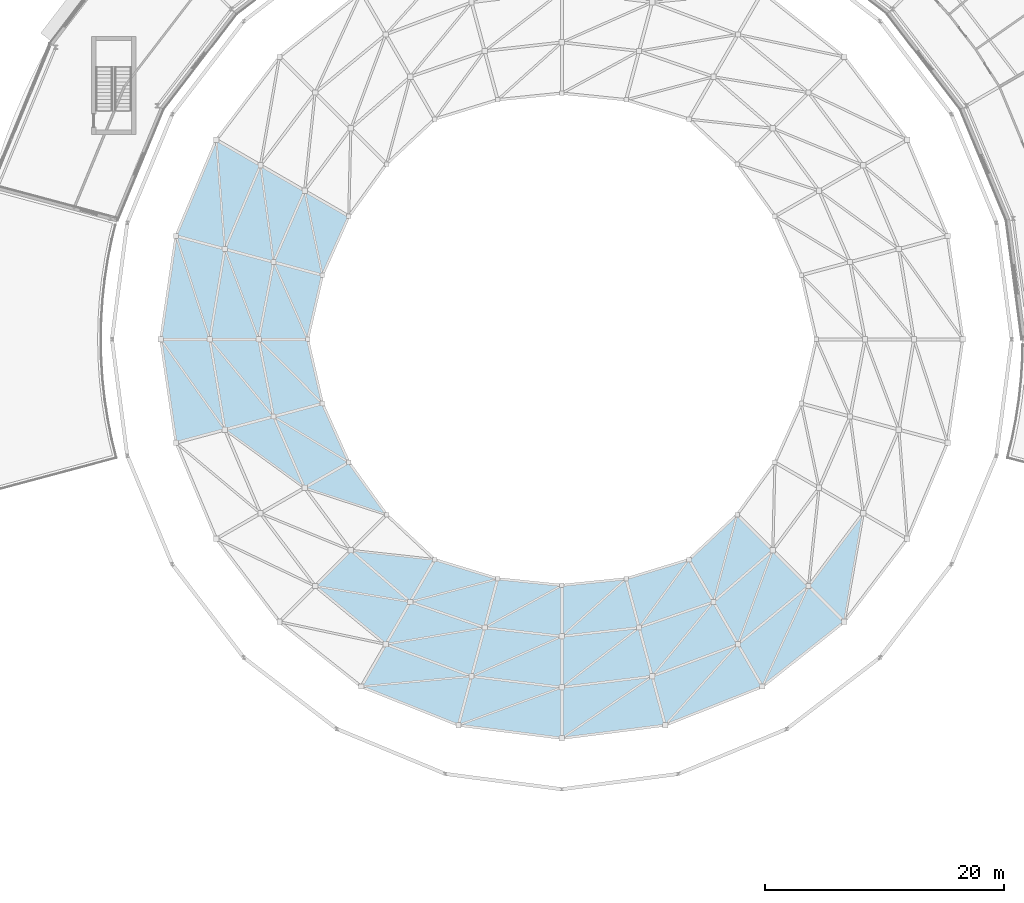
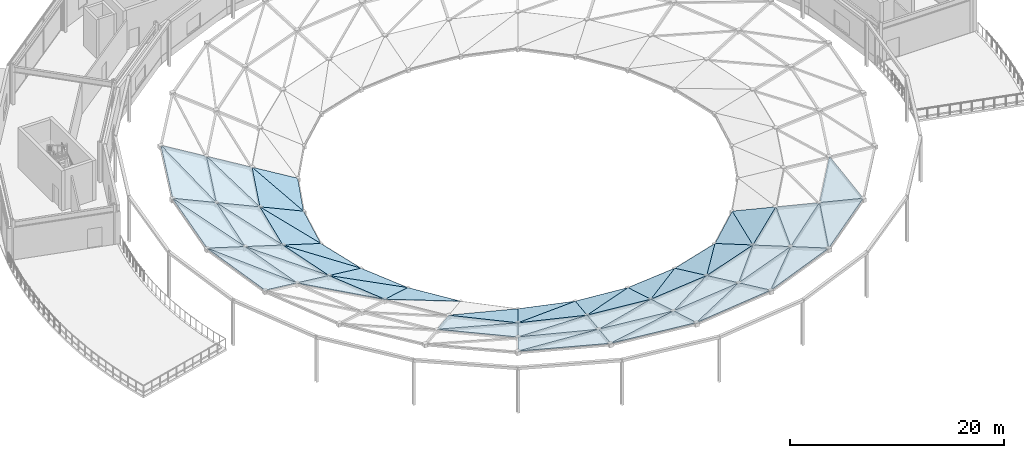
# One storey, part 70 of 89: 56 roofs.
"""IFC4 building model written with IfcOpenShell, lengths in metres."""

from ifc_helpers import new_model, si_unit, direction, frame, origin, place, context, subcontext, project, spatial, polyline, outline, extrude, material, layer, layer_set, type_object, element, save


model = new_model("IFC4")

# Units and contexts
model_context = context("Model", 3, precision=1e-05, world=origin(), true_north=direction((0.0, 1.0)))
body_context = subcontext(model_context, "Body", "Model", "MODEL_VIEW")
ifc_project = project(units=[si_unit("LENGTHUNIT", "METRE"), si_unit("AREAUNIT", "SQUARE_METRE"), si_unit("VOLUMEUNIT", "CUBIC_METRE"), si_unit("PLANEANGLEUNIT", "RADIAN"), si_unit("MASSUNIT", "GRAM", prefix="KILO")], contexts=[model_context])

# Site, building, storey
site_placement = place(None, origin())
site = spatial("IfcSite", under=ifc_project, at=site_placement, CompositionType="ELEMENT")
building_placement = place(site_placement, origin())
building = spatial("IfcBuilding", under=site, at=building_placement, Name="Almandine Court Research Institute", CompositionType="ELEMENT")
storey_placement = place(building_placement, frame((0.0, 0.0, 18.89990234375)))
storey = spatial("IfcBuildingStorey", under=building, at=storey_placement, Name="L04", CompositionType="ELEMENT", Elevation=18.89990234375)

# Roofs
ifc_material = material(Name="Insulated Laminated Low-E Glass Roof Panel", Category="glass")
ifc_layer = layer(ifc_material, 0.080078125)
ifc_layer_set = layer_set([ifc_layer], Name="Insulated Laminated Low-E Glass Roof Panel")
roof_type = type_object("IfcRoofType", Name="Roof-GS-Facet", PredefinedType="PAVILION_ROOF", material=ifc_layer_set)
roof_1_placement = place(storey_placement, frame((58.087890625, 72.69189453125, 4.153076171875), z_axis=(0.265144745742, -0.11121492174, 0.957773201227), x_axis=(-0.386801181098, -0.922163134321, 0.0)))
element("IfcRoof", 1, at=roof_1_placement, inside=storey, type_object=roof_type, Name="Atrium Conical Gridshell Roof Facet R1-S10-1", PredefinedType="PAVILION_ROOF", context=body_context, shape_type="SweptSolid", body=[
    extrude(outline(polyline([(0.0, 0.0), (8.719732253142961, 0.0), (8.14963881001134, 4.372075719222562), (0.0, 0.0)])), origin(), (0.0, 0.0, -1.0), 0.080078125),
])
roof_2_placement = place(storey_placement, frame((58.087890625, 72.69189453125, 4.153076171875), z_axis=(0.261821838708, -0.111592602407, 0.958643007518), x_axis=(0.076687175308, -0.98774665697, -0.13592504842)))
element("IfcRoof", 2, at=roof_2_placement, inside=storey, type_object=roof_type, Name="Atrium Conical Gridshell Roof Facet R1-S10-2", PredefinedType="PAVILION_ROOF", context=body_context, shape_type="SweptSolid", body=[
    extrude(outline(polyline([(0.0, 0.0), (9.248332759382013, 0.0), (2.5598719561917775, 3.635704135222958), (0.0, 0.0)])), origin(), (0.0, 0.0, -1.0), 0.080078125),
])
roof_3_placement = place(storey_placement, frame((54.715087890625, 64.65087890625, 4.153076171875), z_axis=(0.293335764362, -0.043130307962, 0.955036075696), x_axis=(-0.145469875543, -0.989362681381, 0.0)))
element("IfcRoof", 3, at=roof_3_placement, inside=storey, type_object=roof_type, Name="Atrium Conical Gridshell Roof Facet R1-S11-1", PredefinedType="PAVILION_ROOF", context=body_context, shape_type="SweptSolid", body=[
    extrude(outline(polyline([(0.0, 0.0), (8.743890454989065, 0.0), (8.148515212409722, 4.2398788961535105), (0.0, 0.0)])), origin(), (0.0, 0.0, -1.0), 0.080078125),
])
roof_4_placement = place(storey_placement, frame((54.715087890625, 64.65087890625, 4.153076171875), z_axis=(0.282427689223, -0.047136673102, 0.958129810834), x_axis=(0.307090123161, -0.941789114081, -0.136853647581)))
element("IfcRoof", 4, at=roof_4_placement, inside=storey, type_object=roof_type, Name="Atrium Conical Gridshell Roof Facet R1-S11-2", PredefinedType="PAVILION_ROOF", context=body_context, shape_type="SweptSolid", body=[
    extrude(outline(polyline([(0.0, 0.0), (9.185579634455333, -2.220446049250313e-16), (2.4558992458114184, 3.6617770990244694), (0.0, 0.0)])), origin(), (0.0, 0.0, -1.0), 0.080078125),
])
roof_5_placement = place(storey_placement, frame((53.443115234375, 56.0, 4.153076171875), z_axis=(0.283826068415, 0.041732060068, 0.957967221804), x_axis=(0.145469875543, -0.989362681381, 0.0)))
element("IfcRoof", 5, at=roof_5_placement, inside=storey, type_object=roof_type, Name="Atrium Conical Gridshell Roof Facet R1-S12-1", PredefinedType="PAVILION_ROOF", context=body_context, shape_type="SweptSolid", body=[
    extrude(outline(polyline([(0.0, 0.0), (8.743890454989065, 0.0), (8.255346056505834, 4.381937585044748), (0.0, 0.0)])), origin(), (0.0, 0.0, -1.0), 0.080078125),
])
roof_6_placement = place(storey_placement, frame((53.443115234375, 56.0, 4.153076171875), z_axis=(0.293257096224, 0.048944081643, 0.954779949719), x_axis=(0.572851388472, -0.80854851926, -0.134501222036)))
element("IfcRoof", 6, at=roof_6_placement, inside=storey, type_object=roof_type, Name="Atrium Conical Gridshell Roof Facet R1-S12-2", PredefinedType="PAVILION_ROOF", context=body_context, shape_type="SweptSolid", body=[
    extrude(outline(polyline([(0.0, 0.0), (9.346235365744553, 7.216449660063518e-16), (2.5136297530763567, 3.4659356886667148), (0.0, 0.0)])), origin(), (0.0, 0.0, -1.0), 0.080078125),
])
roof_7_placement = place(storey_placement, frame((70.220947265625, 26.93896484375, 4.153076171875), z_axis=(0.105767240577, 0.266664804281, 0.957968252594), x_axis=(0.929552993043, -0.368688531317, 0.0)))
element("IfcRoof", 7, at=roof_7_placement, inside=storey, type_object=roof_type, Name="Atrium Conical Gridshell Roof Facet R1-S16-1", PredefinedType="PAVILION_ROOF", context=body_context, shape_type="SweptSolid", body=[
    extrude(outline(polyline([(0.0, 0.0), (8.744174768902253, -4.440892098500626e-16), (8.256102190339577, 4.381990162765354), (0.0, 0.0)])), origin(), (0.0, 0.0, -1.0), 0.080078125),
])
roof_8_placement = place(storey_placement, frame((70.220947265625, 26.93896484375, 4.153076171875), z_axis=(0.104234327413, 0.278460380725, 0.954774853751), x_axis=(0.986652306257, 0.091811374398, -0.13449125655)))
element("IfcRoof", 8, at=roof_8_placement, inside=storey, type_object=roof_type, Name="Atrium Conical Gridshell Roof Facet R1-S16-2", PredefinedType="PAVILION_ROOF", context=body_context, shape_type="SweptSolid", body=[
    extrude(outline(polyline([(0.0, 0.0), (9.346927899791583, 1.1102230246251565e-16), (2.5142355905025817, 3.4654169838812843), (0.0, 0.0)])), origin(), (0.0, 0.0, -1.0), 0.080078125),
])
roof_9_placement = place(storey_placement, frame((78.34912109375, 23.715087890625, 4.153076171875), z_axis=(0.03592981257, 0.282542605103, 0.958581621392), x_axis=(0.992011166569, -0.126150090776, 0.0)))
element("IfcRoof", 9, at=roof_9_placement, inside=storey, type_object=roof_type, Name="Atrium Conical Gridshell Roof Facet R1-S17-1", PredefinedType="PAVILION_ROOF", context=body_context, shape_type="SweptSolid", body=[
    extrude(outline(polyline([(0.0, 0.0), (8.720545894832956, 2.220446049250313e-16), (8.182529308952331, 4.413626307140402), (0.0, 0.0)])), origin(), (0.0, 0.0, -1.0), 0.080078125),
])
roof_10_placement = place(storey_placement, frame((78.34912109375, 23.715087890625, 4.153076171875), z_axis=(0.034670216191, 0.285639393601, 0.957709827104), x_axis=(0.930503949318, 0.340410980838, -0.135213773072)))
element("IfcRoof", 10, at=roof_10_placement, inside=storey, type_object=roof_type, Name="Atrium Conical Gridshell Roof Facet R1-S17-2", PredefinedType="PAVILION_ROOF", context=body_context, shape_type="SweptSolid", body=[
    extrude(outline(polyline([(0.0, 0.0), (9.296982471261614, 7.216449660063518e-16), (2.5775086704230277, 3.577219825843985), (0.0, 0.0)])), origin(), (0.0, 0.0, -1.0), 0.080078125),
])
roof_11_placement = place(storey_placement, frame((87.0, 22.614990234375, 4.153076171875), z_axis=(-0.036271505953, 0.285229592087, 0.957772654472), x_axis=(0.992011166569, 0.126150090776, 0.0)))
element("IfcRoof", 11, at=roof_11_placement, inside=storey, type_object=roof_type, Name="Atrium Conical Gridshell Roof Facet R1-S18-1", PredefinedType="PAVILION_ROOF", context=body_context, shape_type="SweptSolid", body=[
    extrude(outline(polyline([(0.0, 0.0), (8.720545894832956, 0.0), (8.150240103910345, 4.372048025051564), (0.0, 0.0)])), origin(), (0.0, 0.0, -1.0), 0.080078125),
])
roof_12_placement = place(storey_placement, frame((87.0, 22.614990234375, 4.153076171875), z_axis=(-0.034296305042, 0.282558831507, 0.958636672675), x_axis=(0.817062137148, 0.560299839211, -0.135917453694)))
element("IfcRoof", 12, at=roof_12_placement, inside=storey, type_object=roof_type, Name="Atrium Conical Gridshell Roof Facet R1-S18-2", PredefinedType="PAVILION_ROOF", context=body_context, shape_type="SweptSolid", body=[
    extrude(outline(polyline([(0.0, 0.0), (9.248849533036301, 2.7755575615628914e-16), (2.560477749084651, 3.6350395764292407), (0.0, 0.0)])), origin(), (0.0, 0.0, -1.0), 0.080078125),
])
roof_13_placement = place(storey_placement, frame((95.65087890625, 23.715087890625, 4.153076171875), z_axis=(-0.10931732029, 0.275615414194, 0.955031866978), x_axis=(0.929552993043, 0.368688531317, 0.0)))
element("IfcRoof", 13, at=roof_13_placement, inside=storey, type_object=roof_type, Name="Atrium Conical Gridshell Roof Facet R1-S19-1", PredefinedType="PAVILION_ROOF", context=body_context, shape_type="SweptSolid", body=[
    extrude(outline(polyline([(0.0, 0.0), (8.744174768902253, 0.0), (8.147881036951567, 4.23968504277842), (0.0, 0.0)])), origin(), (0.0, 0.0, -1.0), 0.080078125),
])
roof_14_placement = place(storey_placement, frame((95.65087890625, 23.715087890625, 4.153076171875), z_axis=(-0.100378328867, 0.26815914072, 0.958130923383), x_axis=(0.662068876905, 0.736840024758, -0.136863363063)))
element("IfcRoof", 14, at=roof_14_placement, inside=storey, type_object=roof_type, Name="Atrium Conical Gridshell Roof Facet R1-S19-2", PredefinedType="PAVILION_ROOF", context=body_context, shape_type="SweptSolid", body=[
    extrude(outline(polyline([(0.0, 0.0), (9.18492758024112, -4.440892098500626e-16), (2.455552742421137, 3.662009469909272), (0.0, 0.0)])), origin(), (0.0, 0.0, -1.0), 0.080078125),
])
roof_15_placement = place(storey_placement, frame((103.779052734375, 26.93896484375, 4.153076171875), z_axis=(-0.178080561563, 0.224937964261, 0.957961494961), x_axis=(0.784037897323, 0.620712957461, 0.0)))
element("IfcRoof", 15, at=roof_15_placement, inside=storey, type_object=roof_type, Name="Atrium Conical Gridshell Roof Facet R1-S20-1", PredefinedType="PAVILION_ROOF", context=body_context, shape_type="SweptSolid", body=[
    extrude(outline(polyline([(0.0, 0.0), (8.743174905385716, 0.0), (8.255153924191644, 4.381645510391882), (0.0, 0.0)])), origin(), (0.0, 0.0, -1.0), 0.080078125),
])
roof_16_placement = place(storey_placement, frame((103.779052734375, 26.93896484375, 4.153076171875), z_axis=(-0.189017433178, 0.229488687916, 0.954781311125), x_axis=(0.413756992385, 0.900396237991, -0.134505635065)))
element("IfcRoof", 16, at=roof_16_placement, inside=storey, type_object=roof_type, Name="Atrium Conical Gridshell Roof Facet R1-S20-2", PredefinedType="PAVILION_ROOF", context=body_context, shape_type="SweptSolid", body=[
    extrude(outline(polyline([(0.0, 0.0), (9.345928722755916, 4.440892098500626e-16), (2.5130295225764385, 3.466291692195272), (0.0, 0.0)])), origin(), (0.0, 0.0, -1.0), 0.080078125),
])
roof_17_placement = place(storey_placement, frame((110.634033203125, 32.365966796875, 4.153076171875), z_axis=(-0.230070561137, 0.172839032349, 0.957702566455), x_axis=(0.170383683555, 0.976055851833, -0.135219726669)))
element("IfcRoof", 17, at=roof_17_placement, inside=storey, type_object=roof_type, Name="Atrium Conical Gridshell Roof Facet R1-S21-2", PredefinedType="PAVILION_ROOF", context=body_context, shape_type="SweptSolid", body=[
    extrude(outline(polyline([(0.0, 0.0), (9.296573133937317, 5.551115123125783e-17), (2.5773603613700318, 3.576897457918175), (0.0, 0.0)])), origin(), (0.0, 0.0, -1.0), 0.080078125),
])
roof_18_placement = place(storey_placement, frame((61.781982421875, 70.56005859375, 2.89599609375), z_axis=(0.264713781991, -0.112825194304, 0.957704071806), x_axis=(-0.392087762798, -0.91992781579, 0.0)))
element("IfcRoof", 18, at=roof_18_placement, inside=storey, type_object=roof_type, Name="Atrium Conical Gridshell Roof Facet R2-S10-1", PredefinedType="PAVILION_ROOF", context=body_context, shape_type="SweptSolid", body=[
    extrude(outline(polyline([(0.0, 0.0), (7.61274276950755, -4.440892098500626e-16), (7.019102532054714, 4.367730044482661), (0.0, 0.0)])), origin(), (0.0, 0.0, -1.0), 0.080078125),
])
roof_19_placement = place(storey_placement, frame((61.781982421875, 70.56005859375, 2.89599609375), z_axis=(0.260700676283, -0.113526292288, 0.958721512403), x_axis=(0.132567390921, -0.979445330206, -0.152028720976)))
element("IfcRoof", 19, at=roof_19_placement, inside=storey, type_object=roof_type, Name="Atrium Conical Gridshell Roof Facet R2-S10-2", PredefinedType="PAVILION_ROOF", context=body_context, shape_type="SweptSolid", body=[
    extrude(outline(polyline([(0.0, 0.0), (8.267095384533398, 1.1102230246251565e-16), (2.7698741767733304, 3.4779971801487837), (0.0, 0.0)])), origin(), (0.0, 0.0, -1.0), 0.080078125),
])
roof_20_placement = place(storey_placement, frame((58.797119140625, 63.556884765625, 2.89599609375), z_axis=(0.29318923134, -0.048932755116, 0.954801372068), x_axis=(-0.164621185821, -0.986356865023, 0.0)))
element("IfcRoof", 20, at=roof_20_placement, inside=storey, type_object=roof_type, Name="Atrium Conical Gridshell Roof Facet R2-S11-1", PredefinedType="PAVILION_ROOF", context=body_context, shape_type="SweptSolid", body=[
    extrude(outline(polyline([(0.0, 0.0), (7.6614104221245425, 0.0), (6.987613014828215, 4.228288840955935), (0.0, 0.0)])), origin(), (0.0, 0.0, -1.0), 0.080078125),
])
roof_21_placement = place(storey_placement, frame((58.797119140625, 63.556884765625, 2.89599609375), z_axis=(0.280602939202, -0.054229549598, 0.958290742135), x_axis=(0.346721584197, -0.925258487425, -0.15388591391)))
element("IfcRoof", 21, at=roof_21_placement, inside=storey, type_object=roof_type, Name="Atrium Conical Gridshell Roof Facet R2-S11-2", PredefinedType="PAVILION_ROOF", context=body_context, shape_type="SweptSolid", body=[
    extrude(outline(polyline([(0.0, 0.0), (8.167322827435507, 1.1102230246251565e-16), (2.620541808303433, 3.544324350836609), (0.0, 0.0)])), origin(), (0.0, 0.0, -1.0), 0.080078125),
])
roof_22_placement = place(storey_placement, frame((57.535888671875, 56.0, 2.89599609375), z_axis=(0.282451555917, 0.04714065641, 0.958122579357), x_axis=(0.164621185821, -0.986356865023, 0.0)))
element("IfcRoof", 22, at=roof_22_placement, inside=storey, type_object=roof_type, Name="Atrium Conical Gridshell Roof Facet R2-S12-1", PredefinedType="PAVILION_ROOF", context=body_context, shape_type="SweptSolid", body=[
    extrude(outline(polyline([(0.0, 0.0), (7.6614104221245425, -2.220446049250313e-16), (7.25412966256021, 4.389031425712085), (0.0, 0.0)])), origin(), (0.0, 0.0, -1.0), 0.080078125),
])
roof_23_placement = place(storey_placement, frame((57.535888671875, 56.0, 2.89599609375), z_axis=(0.293069658958, 0.05663887788, 0.954411972112), x_axis=(0.63006459619, -0.76226269322, -0.148236942607)))
element("IfcRoof", 23, at=roof_23_placement, inside=storey, type_object=roof_type, Name="Atrium Conical Gridshell Roof Facet R2-S12-2", PredefinedType="PAVILION_ROOF", context=body_context, shape_type="SweptSolid", body=[
    extrude(outline(polyline([(0.0, 0.0), (8.478560845870257, -4.440892098500626e-16), (2.765174984293333, 3.2689809994660584), (0.0, 0.0)])), origin(), (0.0, 0.0, -1.0), 0.080078125),
])
roof_24_placement = place(storey_placement, frame((58.797119140625, 48.443115234375, 2.89599609375), z_axis=(0.26410103921, 0.115007034881, 0.957613712838), x_axis=(0.798781399602, -0.582535420585, -0.150335489531)))
element("IfcRoof", 24, at=roof_24_placement, inside=storey, type_object=roof_type, Name="Atrium Conical Gridshell Roof Facet R2-S13-2", PredefinedType="PAVILION_ROOF", context=body_context, shape_type="SweptSolid", body=[
    extrude(outline(polyline([(0.0, 0.0), (8.360207835270813, 3.3306690738754696e-16), (2.811332269243186, 3.394979432177982), (0.0, 0.0)])), origin(), (0.0, 0.0, -1.0), 0.080078125),
])
roof_25_placement = place(storey_placement, frame((66.35400390625, 35.35400390625, 2.89599609375), z_axis=(0.188976876389, 0.229439447357, 0.954801173118), x_axis=(0.77188608333, -0.635760862558, 0.0)))
element("IfcRoof", 25, at=roof_25_placement, inside=storey, type_object=roof_type, Name="Atrium Conical Gridshell Roof Facet R2-S15-1", PredefinedType="PAVILION_ROOF", context=body_context, shape_type="SweptSolid", body=[
    extrude(outline(polyline([(0.0, 0.0), (7.661833303798466, -4.440892098500626e-16), (6.987156031606541, 4.228279750334236), (0.0, 0.0)])), origin(), (0.0, 0.0, -1.0), 0.080078125),
])
roof_26_placement = place(storey_placement, frame((66.35400390625, 35.35400390625, 2.89599609375), z_axis=(0.187262395446, 0.215823355023, 0.958307400931), x_axis=(0.974658006895, -0.162353319698, -0.15389336951)))
element("IfcRoof", 26, at=roof_26_placement, inside=storey, type_object=roof_type, Name="Atrium Conical Gridshell Roof Facet R2-S15-2", PredefinedType="PAVILION_ROOF", context=body_context, shape_type="SweptSolid", body=[
    extrude(outline(polyline([(0.0, 0.0), (8.166927149001772, 2.220446049250313e-16), (2.620615266804587, 3.545242407958367), (0.0, 0.0)])), origin(), (0.0, 0.0, -1.0), 0.080078125),
])
roof_27_placement = place(storey_placement, frame((72.26806640625, 30.48291015625, 2.89599609375), z_axis=(0.100385478345, 0.268178240439, 0.958124828555), x_axis=(0.936537239309, -0.350568109484, 0.0)))
element("IfcRoof", 27, at=roof_27_placement, inside=storey, type_object=roof_type, Name="Atrium Conical Gridshell Roof Facet R2-S16-1", PredefinedType="PAVILION_ROOF", context=body_context, shape_type="SweptSolid", body=[
    extrude(outline(polyline([(0.0, 0.0), (7.661253100217347, 0.0), (7.255217313916364, 4.389146775085394), (0.0, 0.0)])), origin(), (0.0, 0.0, -1.0), 0.080078125),
])
roof_28_placement = place(storey_placement, frame((72.26806640625, 30.48291015625, 2.89599609375), z_axis=(0.097471529471, 0.282110739889, 0.954417535139), x_axis=(0.97517460814, 0.164515728105, -0.148219630431)))
element("IfcRoof", 28, at=roof_28_placement, inside=storey, type_object=roof_type, Name="Atrium Conical Gridshell Roof Facet R2-S16-2", PredefinedType="PAVILION_ROOF", context=body_context, shape_type="SweptSolid", body=[
    extrude(outline(polyline([(0.0, 0.0), (8.479551148816446, 1.1102230246251565e-16), (2.7646315335653355, 3.269610305879749), (0.0, 0.0)])), origin(), (0.0, 0.0, -1.0), 0.080078125),
])
roof_29_placement = place(storey_placement, frame((79.443115234375, 27.797119140625, 2.89599609375), z_axis=(0.0342883799, 0.282493538205, 0.958656198998), x_axis=(0.992714148527, -0.120493233483, 0.0)))
element("IfcRoof", 29, at=roof_29_placement, inside=storey, type_object=roof_type, Name="Atrium Conical Gridshell Roof Facet R2-S17-1", PredefinedType="PAVILION_ROOF", context=body_context, shape_type="SweptSolid", body=[
    extrude(outline(polyline([(0.0, 0.0), (7.612347196664603, 0.0), (7.098427082173308, 4.41666321099337), (0.0, 0.0)])), origin(), (0.0, 0.0, -1.0), 0.080078125),
])
roof_30_placement = place(storey_placement, frame((79.443115234375, 27.797119140625, 2.89599609375), z_axis=(0.032459275498, 0.28622982711, 0.957611028292), x_axis=(0.903901374916, 0.400452284244, -0.150333869999)))
element("IfcRoof", 30, at=roof_30_placement, inside=storey, type_object=roof_type, Name="Atrium Conical Gridshell Roof Facet R2-S17-2", PredefinedType="PAVILION_ROOF", context=body_context, shape_type="SweptSolid", body=[
    extrude(outline(polyline([(0.0, 0.0), (8.360297899014947, -1.6653345369377348e-16), (2.8119777233635372, 3.3944448377174723), (0.0, 0.0)])), origin(), (0.0, 0.0, -1.0), 0.080078125),
])
roof_31_placement = place(storey_placement, frame((87.0, 26.8798828125, 2.89599609375), z_axis=(-0.034673251032, 0.285664396914, 0.957702259577), x_axis=(0.992714148527, 0.120493233483, 0.0)))
element("IfcRoof", 31, at=roof_31_placement, inside=storey, type_object=roof_type, Name="Atrium Conical Gridshell Roof Facet R2-S18-1", PredefinedType="PAVILION_ROOF", context=body_context, shape_type="SweptSolid", body=[
    extrude(outline(polyline([(0.0, 0.0), (7.612347196664603, 0.0), (7.01803379288752, 4.36763849821508), (0.0, 0.0)])), origin(), (0.0, 0.0, -1.0), 0.080078125),
])
roof_32_placement = place(storey_placement, frame((87.0, 26.8798828125, 2.89599609375), z_axis=(-0.032037963292, 0.282514644994, 0.958727825961), x_axis=(0.781851131837, 0.604640993161, -0.152046298984)))
element("IfcRoof", 32, at=roof_32_placement, inside=storey, type_object=roof_type, Name="Atrium Conical Gridshell Roof Facet R2-S18-2", PredefinedType="PAVILION_ROOF", context=body_context, shape_type="SweptSolid", body=[
    extrude(outline(polyline([(0.0, 0.0), (8.266139629186146, 1.27675647831893e-15), (2.769973754319712, 3.478257207827073), (0.0, 0.0)])), origin(), (0.0, 0.0, -1.0), 0.080078125),
])
roof_33_placement = place(storey_placement, frame((94.556884765625, 27.797119140625, 2.89599609375), z_axis=(-0.104199040677, 0.278366112759, 0.954806193523), x_axis=(0.936537239309, 0.350568109484, 0.0)))
element("IfcRoof", 33, at=roof_33_placement, inside=storey, type_object=roof_type, Name="Atrium Conical Gridshell Roof Facet R2-S19-1", PredefinedType="PAVILION_ROOF", context=body_context, shape_type="SweptSolid", body=[
    extrude(outline(polyline([(0.0, 0.0), (7.661253100217347, 0.0), (6.98801517356066, 4.228509165510924), (0.0, 0.0)])), origin(), (0.0, 0.0, -1.0), 0.080078125),
])
roof_34_placement = place(storey_placement, frame((94.556884765625, 27.797119140625, 2.89599609375), z_axis=(-0.09332914596, 0.270121486378, 0.958292258714), x_axis=(0.627973548145, 0.762870241124, -0.153877282396)))
element("IfcRoof", 34, at=roof_34_placement, inside=storey, type_object=roof_type, Name="Atrium Conical Gridshell Roof Facet R2-S19-2", PredefinedType="PAVILION_ROOF", context=body_context, shape_type="SweptSolid", body=[
    extrude(outline(polyline([(0.0, 0.0), (8.167780961113241, -1.6653345369377348e-16), (2.6195280422159004, 3.545073667646994), (0.0, 0.0)])), origin(), (0.0, 0.0, -1.0), 0.080078125),
])
roof_35_placement = place(storey_placement, frame((101.73193359375, 30.48291015625, 2.89599609375), z_axis=(-0.182020834448, 0.220994020332, 0.958138851526), x_axis=(0.77188608333, 0.635760862558, 0.0)))
element("IfcRoof", 35, at=roof_35_placement, inside=storey, type_object=roof_type, Name="Atrium Conical Gridshell Roof Facet R2-S20-1", PredefinedType="PAVILION_ROOF", context=body_context, shape_type="SweptSolid", body=[
    extrude(outline(polyline([(0.0, 0.0), (7.661833303798466, 8.881784197001252e-16), (7.255086092609019, 4.389866149894019), (0.0, 0.0)])), origin(), (0.0, 0.0, -1.0), 0.080078125),
])
roof_36_placement = place(storey_placement, frame((101.73193359375, 30.48291015625, 2.89599609375), z_axis=(-0.195626409375, 0.225463034914, 0.954409098784), x_axis=(0.345057843919, 0.926804927293, -0.148215083896)))
element("IfcRoof", 36, at=roof_36_placement, inside=storey, type_object=roof_type, Name="Atrium Conical Gridshell Roof Facet R2-S20-2", PredefinedType="PAVILION_ROOF", context=body_context, shape_type="SweptSolid", body=[
    extrude(outline(polyline([(0.0, 0.0), (8.479811261175223, 6.106226635438361e-16), (2.766006071552796, 3.2684475643387567), (0.0, 0.0)])), origin(), (0.0, 0.0, -1.0), 0.080078125),
])
roof_37_placement = place(storey_placement, frame((65.47509765625, 68.427001953125, 1.63916015625), z_axis=(0.264299590424, -0.115093497193, 0.957548543629), x_axis=(-0.399253028635, -0.916840781775, 0.0)))
element("IfcRoof", 37, at=roof_37_placement, inside=storey, type_object=roof_type, Name="Atrium Conical Gridshell Roof Facet R3-S10-1", PredefinedType="PAVILION_ROOF", context=body_context, shape_type="SweptSolid", body=[
    extrude(outline(polyline([(0.0, 0.0), (6.505067670068464, 4.440892098500626e-16), (5.8772035832640155, 4.364129479197885), (0.0, 0.0)])), origin(), (0.0, 0.0, -1.0), 0.080078125),
])
roof_38_placement = place(storey_placement, frame((65.47509765625, 68.427001953125, 1.63916015625), z_axis=(0.259377844039, -0.116341995482, 0.958742757005), x_axis=(0.202841188101, -0.964012585015, -0.171858047071)))
element("IfcRoof", 38, at=roof_38_placement, inside=storey, type_object=roof_type, Name="Atrium Conical Gridshell Roof Facet R3-S10-2", PredefinedType="PAVILION_ROOF", context=body_context, shape_type="SweptSolid", body=[
    extrude(outline(polyline([(0.0, 0.0), (7.320324314559799, -1.1102230246251565e-16), (3.020823632191807, 3.2630671248586487), (0.0, 0.0)])), origin(), (0.0, 0.0, -1.0), 0.080078125),
])
roof_39_placement = place(storey_placement, frame((62.8779296875, 62.462890625, 1.63916015625), z_axis=(0.293392660877, -0.05670130149, 0.954309021729), x_axis=(-0.189749736202, -0.981832489588, 0.0)))
element("IfcRoof", 39, at=roof_39_placement, inside=storey, type_object=roof_type, Name="Atrium Conical Gridshell Roof Facet R3-S11-1", PredefinedType="PAVILION_ROOF", context=body_context, shape_type="SweptSolid", body=[
    extrude(outline(polyline([(0.0, 0.0), (6.582477860056744, 0.0), (5.806014156814927, 4.210060605516974), (0.0, 0.0)])), origin(), (0.0, 0.0, -1.0), 0.080078125),
])
roof_40_placement = place(storey_placement, frame((62.8779296875, 62.462890625, 1.63916015625), z_axis=(0.278184760063, -0.06418383603, 0.958380756516), x_axis=(0.396417356176, -0.901155882583, -0.17541765877)))
element("IfcRoof", 40, at=roof_40_placement, inside=storey, type_object=roof_type, Name="Atrium Conical Gridshell Roof Facet R3-S11-2", PredefinedType="PAVILION_ROOF", context=body_context, shape_type="SweptSolid", body=[
    extrude(outline(polyline([(0.0, 0.0), (7.171778767590458, 1.6653345369377348e-16), (2.823632597983452, 3.3862868121746588), (0.0, 0.0)])), origin(), (0.0, 0.0, -1.0), 0.080078125),
])
roof_41_placement = place(storey_placement, frame((61.62890625, 56.0, 1.63916015625), z_axis=(0.280794031823, 0.054266480312, 0.958232675715), x_axis=(0.189749736202, -0.981832489588, 0.0)))
element("IfcRoof", 41, at=roof_41_placement, inside=storey, type_object=roof_type, Name="Atrium Conical Gridshell Roof Facet R3-S12-1", PredefinedType="PAVILION_ROOF", context=body_context, shape_type="SweptSolid", body=[
    extrude(outline(polyline([(0.0, 0.0), (6.582477860056744, 0.0), (6.284121748215083, 4.398957041530357), (0.0, 0.0)])), origin(), (0.0, 0.0, -1.0), 0.080078125),
])
roof_42_placement = place(storey_placement, frame((61.62890625, 56.0, 1.63916015625), z_axis=(0.293192294491, 0.067646430921, 0.953657296325), x_axis=(0.694981239431, -0.700073609751, -0.164006151621)))
element("IfcRoof", 42, at=roof_42_placement, inside=storey, type_object=roof_type, Name="Atrium Conical Gridshell Roof Facet R3-S12-2", PredefinedType="PAVILION_ROOF", context=body_context, shape_type="SweptSolid", body=[
    extrude(outline(polyline([(0.0, 0.0), (7.670789346580917, -7.216449660063518e-16), (3.0502207649907027, 3.003940656770282), (0.0, 0.0)])), origin(), (0.0, 0.0, -1.0), 0.080078125),
])
roof_43_placement = place(storey_placement, frame((62.8779296875, 49.537109375, 1.63916015625), z_axis=(0.260917446907, 0.113620688534, 0.958651357396), x_axis=(0.399253028635, -0.916840781775, 0.0)))
element("IfcRoof", 43, at=roof_43_placement, inside=storey, type_object=roof_type, Name="Atrium Conical Gridshell Roof Facet R3-S13-1", PredefinedType="PAVILION_ROOF", context=body_context, shape_type="SweptSolid", body=[
    extrude(outline(polyline([(0.0, 0.0), (6.505067670068464, -4.440892098500626e-16), (6.025069568507236, 4.420699526165446), (0.0, 0.0)])), origin(), (0.0, 0.0, -1.0), 0.080078125),
])
roof_44_placement = place(storey_placement, frame((62.8779296875, 49.537109375, 1.63916015625), z_axis=(0.263436180997, 0.118162332226, 0.957412681024), x_axis=(0.841845354151, -0.51279124025, -0.168349468719)))
element("IfcRoof", 44, at=roof_44_placement, inside=storey, type_object=roof_type, Name="Atrium Conical Gridshell Roof Facet R3-S13-2", PredefinedType="PAVILION_ROOF", context=body_context, shape_type="SweptSolid", body=[
    extrude(outline(polyline([(0.0, 0.0), (7.472887501226776, 1.6653345369377348e-16), (3.08786756405083, 3.147207226984836), (0.0, 0.0)])), origin(), (0.0, 0.0, -1.0), 0.080078125),
])
roof_45_placement = place(storey_placement, frame((65.47509765625, 43.572998046875, 1.63916015625), z_axis=(0.23042865592, 0.166494990896, 0.958739825259), x_axis=(0.936282703747, -0.30634764582, -0.171830784686)))
element("IfcRoof", 45, at=roof_45_placement, inside=storey, type_object=roof_type, Name="Atrium Conical Gridshell Roof Facet R3-S14-2", PredefinedType="PAVILION_ROOF", context=body_context, shape_type="SweptSolid", body=[
    extrude(outline(polyline([(0.0, 0.0), (7.321485744977475, -2.7755575615628914e-16), (3.0215008179273672, 3.262440081504338), (0.0, 0.0)])), origin(), (0.0, 0.0, -1.0), 0.080078125),
])
roof_46_placement = place(storey_placement, frame((69.342041015625, 38.342041015625, 1.63916015625), z_axis=(0.195804873977, 0.22566871865, 0.954323886712), x_axis=(0.755315717583, -0.655361096474, 0.0)))
element("IfcRoof", 46, at=roof_46_placement, inside=storey, type_object=roof_type, Name="Atrium Conical Gridshell Roof Facet R3-S15-1", PredefinedType="PAVILION_ROOF", context=body_context, shape_type="SweptSolid", body=[
    extrude(outline(polyline([(0.0, 0.0), (6.582576944160101, 0.0), (5.806234320995299, 4.2107296038076605), (0.0, 0.0)])), origin(), (0.0, 0.0, -1.0), 0.080078125),
])
roof_47_placement = place(storey_placement, frame((74.31396484375, 34.028076171875, 1.63916015625), z_axis=(0.093397012502, 0.270317911738, 0.958230256592), x_axis=(0.945174599161, -0.326565425453, 0.0)))
element("IfcRoof", 47, at=roof_47_placement, inside=storey, type_object=roof_type, Name="Atrium Conical Gridshell Roof Facet R3-S16-1", PredefinedType="PAVILION_ROOF", context=body_context, shape_type="SweptSolid", body=[
    extrude(outline(polyline([(0.0, 0.0), (6.584121639299881, 0.0), (6.2839330631919275, 4.398832372513992), (0.0, 0.0)])), origin(), (0.0, 0.0, -1.0), 0.080078125),
])
roof_48_placement = place(storey_placement, frame((74.31396484375, 34.028076171875, 1.63916015625), z_axis=(0.08802402176, 0.287694443979, 0.953668537017), x_axis=(0.953765415224, 0.251856962246, -0.164010985272)))
element("IfcRoof", 48, at=roof_48_placement, inside=storey, type_object=roof_type, Name="Atrium Conical Gridshell Roof Facet R3-S16-2", PredefinedType="PAVILION_ROOF", context=body_context, shape_type="SweptSolid", body=[
    extrude(outline(polyline([(0.0, 0.0), (7.670563276849605, -1.1102230246251565e-16), (3.051373847101757, 3.0036759662367127), (0.0, 0.0)])), origin(), (0.0, 0.0, -1.0), 0.080078125),
])
roof_49_placement = place(storey_placement, frame((80.537109375, 31.8779296875, 1.63916015625), z_axis=(0.032068248262, 0.282781701529, 0.958648077625), x_axis=(0.993631259919, -0.11268060752, 0.0)))
element("IfcRoof", 49, at=roof_49_placement, inside=storey, type_object=roof_type, Name="Atrium Conical Gridshell Roof Facet R3-S17-1", PredefinedType="PAVILION_ROOF", context=body_context, shape_type="SweptSolid", body=[
    extrude(outline(polyline([(0.0, 0.0), (6.504314916103564, 0.0), (6.0237442293915535, 4.420527912935233), (0.0, 0.0)])), origin(), (0.0, 0.0, -1.0), 0.080078125),
])
roof_50_placement = place(storey_placement, frame((80.537109375, 31.8779296875, 1.63916015625), z_axis=(0.029416821851, 0.287195922518, 0.957420050282), x_axis=(0.864980598239, 0.472713596053, -0.168375831925)))
element("IfcRoof", 50, at=roof_50_placement, inside=storey, type_object=roof_type, Name="Atrium Conical Gridshell Roof Facet R3-S17-2", PredefinedType="PAVILION_ROOF", context=body_context, shape_type="SweptSolid", body=[
    extrude(outline(polyline([(0.0, 0.0), (7.471717444481391, 3.885780586188048e-16), (3.086685826572186, 3.148366247872247), (0.0, 0.0)])), origin(), (0.0, 0.0, -1.0), 0.080078125),
])
roof_51_placement = place(storey_placement, frame((87.0, 31.14501953125, 1.63916015625), z_axis=(-0.032480516907, 0.286417136426, 0.957554301323), x_axis=(0.993631259919, 0.11268060752, 0.0)))
element("IfcRoof", 51, at=roof_51_placement, inside=storey, type_object=roof_type, Name="Atrium Conical Gridshell Roof Facet R3-S18-1", PredefinedType="PAVILION_ROOF", context=body_context, shape_type="SweptSolid", body=[
    extrude(outline(polyline([(0.0, 0.0), (6.504314916103564, 1.1102230246251565e-16), (5.878466829760987, 4.364419044446137), (0.0, 0.0)])), origin(), (0.0, 0.0, -1.0), 0.080078125),
])
roof_52_placement = place(storey_placement, frame((87.0, 31.14501953125, 1.63916015625), z_axis=(-0.028967426915, 0.282808487542, 0.958738883926), x_axis=(0.733471145536, 0.65764311385, -0.171830187895)))
element("IfcRoof", 52, at=roof_52_placement, inside=storey, type_object=roof_type, Name="Atrium Conical Gridshell Roof Facet R3-S18-2", PredefinedType="PAVILION_ROOF", context=body_context, shape_type="SweptSolid", body=[
    extrude(outline(polyline([(0.0, 0.0), (7.321511173529977, -4.996003610813204e-16), (3.020949344256639, 3.2628025182964655), (0.0, 0.0)])), origin(), (0.0, 0.0, -1.0), 0.080078125),
])
roof_53_placement = place(storey_placement, frame((93.462890625, 31.8779296875, 1.63916015625), z_axis=(-0.097574451259, 0.282408625251, 0.954318916739), x_axis=(0.945174599161, 0.326565425453, 0.0)))
element("IfcRoof", 53, at=roof_53_placement, inside=storey, type_object=roof_type, Name="Atrium Conical Gridshell Roof Facet R3-S19-1", PredefinedType="PAVILION_ROOF", context=body_context, shape_type="SweptSolid", body=[
    extrude(outline(polyline([(0.0, 0.0), (6.584121639299881, 0.0), (5.8065666348858205, 4.210505893599398), (0.0, 0.0)])), origin(), (0.0, 0.0, -1.0), 0.080078125),
])
roof_54_placement = place(storey_placement, frame((93.462890625, 31.8779296875, 1.63916015625), z_axis=(-0.083529696076, 0.273005356809, 0.958379290796), x_axis=(0.582228331536, 0.793879647846, -0.175400326946)))
element("IfcRoof", 54, at=roof_54_placement, inside=storey, type_object=roof_type, Name="Atrium Conical Gridshell Roof Facet R3-S19-2", PredefinedType="PAVILION_ROOF", context=body_context, shape_type="SweptSolid", body=[
    extrude(outline(polyline([(0.0, 0.0), (7.172487432223533, 2.220446049250313e-16), (2.8250614220666384, 3.385094885561351), (0.0, 0.0)])), origin(), (0.0, 0.0, -1.0), 0.080078125),
])
roof_55_placement = place(storey_placement, frame((99.68603515625, 34.028076171875, 1.63916015625), z_axis=(-0.187429404514, 0.216015836046, 0.958231379626), x_axis=(0.755315717583, 0.655361096474, 0.0)))
element("IfcRoof", 55, at=roof_55_placement, inside=storey, type_object=roof_type, Name="Atrium Conical Gridshell Roof Facet R3-S20-1", PredefinedType="PAVILION_ROOF", context=body_context, shape_type="SweptSolid", body=[
    extrude(outline(polyline([(0.0, 0.0), (6.582576944160101, 0.0), (6.283908827032601, 4.398890246509497), (0.0, 0.0)])), origin(), (0.0, 0.0, -1.0), 0.080078125),
])
roof_56_placement = place(storey_placement, frame((99.68603515625, 34.028076171875, 1.63916015625), z_axis=(-0.205144094117, 0.2200437951, 0.953675326769), x_axis=(0.258635930429, 0.951949549989, -0.16401070016)))
element("IfcRoof", 56, at=roof_56_placement, inside=storey, type_object=roof_type, Name="Atrium Conical Gridshell Roof Facet R3-S20-2", PredefinedType="PAVILION_ROOF", context=body_context, shape_type="SweptSolid", body=[
    extrude(outline(polyline([(0.0, 0.0), (7.670576611135216, -1.1102230246251565e-16), (3.0505333322544037, 3.004529589424852), (0.0, 0.0)])), origin(), (0.0, 0.0, -1.0), 0.080078125),
])

save(model, "model.ifc")
